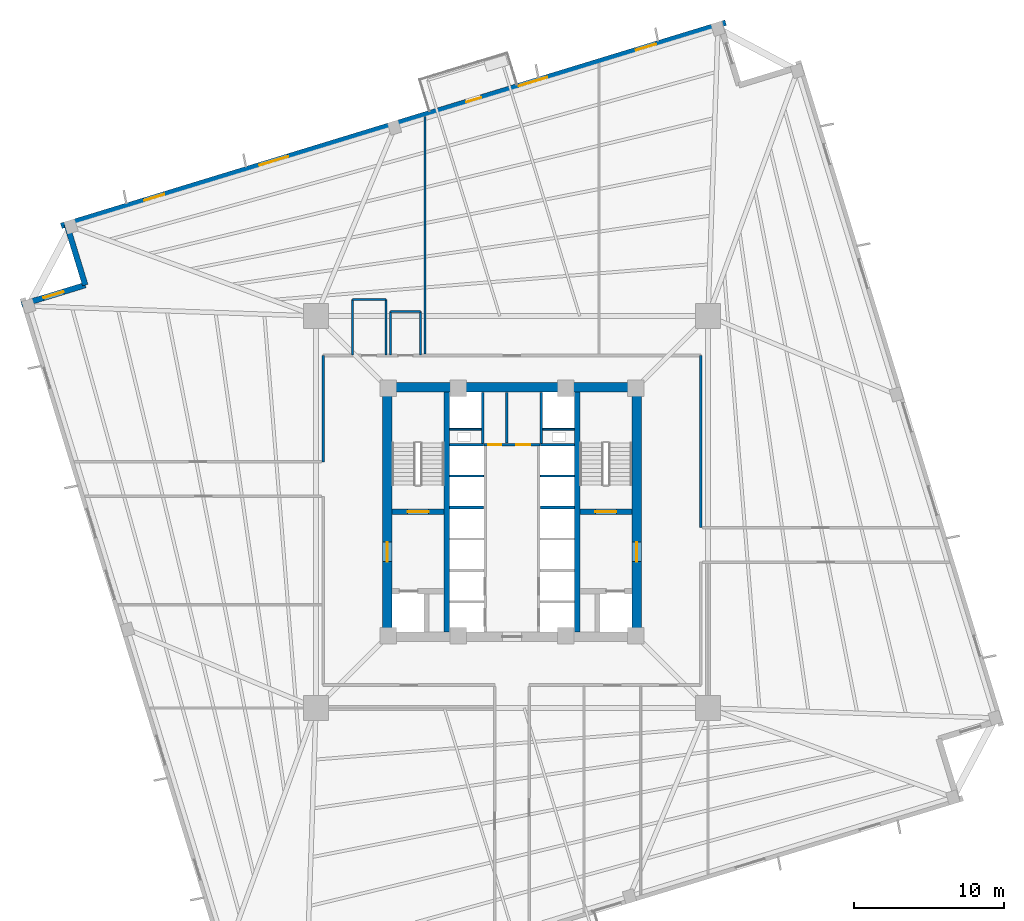
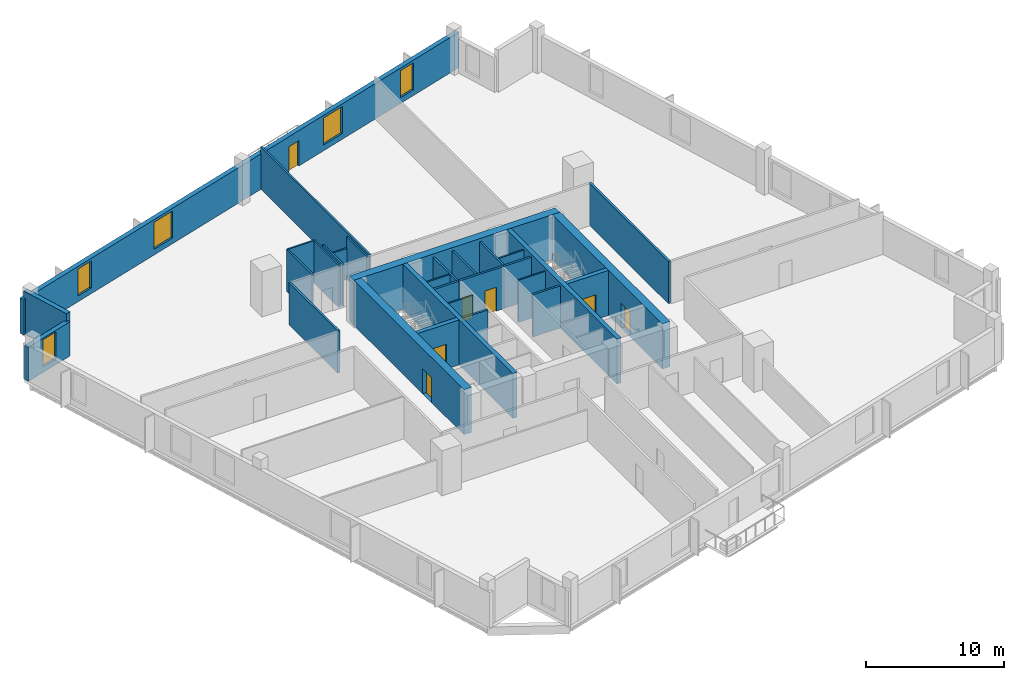
# One storey, part 4 of 8: 31 walls, 7 doors, 5 windows, 12 openings.
"""IFC4 building model written with IfcOpenShell, lengths in metres."""

from ifc_helpers import new_model, si_unit, direction, frame, frame_2d, origin, place, context, subcontext, project, spatial, rectangle, extrude, source, transform, mapped, material, layer, layer_set, type_object, element, fill, save


model = new_model("IFC4")

# Units and contexts
model_context = context("Model", 3, precision=1e-05, world=origin(), true_north=direction((0.0, 1.0)))
body_context = subcontext(model_context, "Body", "Model", "MODEL_VIEW")
ifc_project = project(units=[si_unit("LENGTHUNIT", "METRE"), si_unit("AREAUNIT", "SQUARE_METRE"), si_unit("VOLUMEUNIT", "CUBIC_METRE"), si_unit("PLANEANGLEUNIT", "RADIAN"), si_unit("MASSUNIT", "GRAM", prefix="KILO"), si_unit("THERMODYNAMICTEMPERATUREUNIT", "KELVIN")], contexts=[model_context])

# Site, building, storey
site_placement = place(None, origin())
site = spatial("IfcSite", under=ifc_project, at=site_placement, CompositionType="ELEMENT")
building_placement = place(site_placement, origin())
building = spatial("IfcBuilding", under=site, at=building_placement, Name="Kosmvard Interchange Tower", CompositionType="ELEMENT")
storey_placement = place(building_placement, frame((0.0, 0.0, 115.199951171875)))
storey = spatial("IfcBuildingStorey", under=building, at=storey_placement, Name="L27", CompositionType="ELEMENT", Elevation=115.199951171875)

# Walls
ifc_material_1 = material(Name="Acoustic gypsum partition system")
ifc_layer_1 = layer(ifc_material_1, 0.14990234375, Name="Acoustic gypsum partition system")
ifc_layer_set_1 = layer_set([ifc_layer_1], Name="Acoustic gypsum partition system")
wall_type_1 = type_object("IfcWallType", Name="Acoustic Suite & Meeting Partition 150", PredefinedType="PARTITIONING", material=ifc_layer_set_1)
wall_1_placement = place(storey_placement, frame((-5.800048828125, 10.544921875, 0.0), z_axis=(0.0, 0.0, 1.0), x_axis=(0.0, 1.0, 0.0)))
element("IfcWall", 1, at=wall_1_placement, inside=storey, type_object=wall_type_1, Name="L27 Room Partition 01.1", PredefinedType="PARTITIONING", context=body_context, shape_type="SweptSolid", body=[
    extrude(rectangle(XDim=15.84765625, YDim=0.14990234375, at=frame_2d((7.923828125, 0.0))), origin(), (0.0, 0.0, 1.0), 3.739990234375),
])
ifc_material_2 = material(Name="Fire-rated gypsum partition system")
ifc_layer_2 = layer(ifc_material_2, 0.159912109375, Name="Fire-rated gypsum partition system")
ifc_layer_set_2 = layer_set([ifc_layer_2], Name="Fire-rated gypsum partition system")
wall_type_2 = type_object("IfcWallType", Name="Core Compartment & Shuttle Lobby Partition 160", PredefinedType="PARTITIONING", material=ifc_layer_set_2)
for number, where, z_axis, x_axis, name in (
    (2, (-1.9599609375, 4.580078125, 0.0), (0.0, 0.0, 1.0), (0.0, 1.0, 0.0), "L27 North Core West Wall"),
    (3, (1.9599609375, 4.580078125, 0.0), (0.0, 0.0, 1.0), (0.0, 1.0, 0.0), "L27 North Core East Wall"),
):
    element("IfcWall", number, at=place(storey_placement, frame(where, z_axis=z_axis, x_axis=x_axis)), inside=storey, type_object=wall_type_2, Name=name, PredefinedType="PARTITIONING", context=body_context, shape_type="SweptSolid", body=[
        extrude(rectangle(XDim=3.39990234375, YDim=0.159912109375, at=frame_2d((1.699951171875, 0.0))), origin(), (0.0, 0.0, 1.0), 3.739990234375),
    ])
ifc_material_3 = material(Name="Concrete blockwork masonry", Category="masonry")
ifc_layer_3 = layer(ifc_material_3, 0.159912109375, Name="Concrete blockwork masonry")
ifc_layer_set_3 = layer_set([ifc_layer_3], Name="Concrete blockwork masonry")
wall_type_3 = type_object("IfcWallType", Name="Core Enclosure Split Wall 160", PredefinedType="PARTITIONING", material=ifc_layer_set_3)
wall_2_placement = place(storey_placement, frame((-0.35009765625, 4.60009765625, 0.0), z_axis=(0.0, 0.0, 1.0), x_axis=(0.0, 1.0, 0.0)))
element("IfcWall", 4, at=wall_2_placement, inside=storey, type_object=wall_type_3, Name="L27 Core K2 Split Wall", PredefinedType="PARTITIONING", context=body_context, shape_type="SweptSolid", body=[
    extrude(rectangle(XDim=3.3798828125, YDim=0.159912109375, at=frame_2d((1.68994140625, 0.0))), origin(), (0.0, 0.0, 1.0), 3.739990234375),
])

# Wall, openings, doors
ifc_layer_4 = layer(ifc_material_2, 0.179931640625, Name="Fire-rated gypsum partition system")
ifc_layer_set_4 = layer_set([ifc_layer_4], Name="Fire-rated gypsum partition system")
wall_type_4 = type_object("IfcWallType", Name="Corridor & Hotel Compartment Partition 180", PredefinedType="PARTITIONING", material=ifc_layer_set_4)
wall_3_placement = place(storey_placement, frame((-1.8798828125, 4.489990234375, 0.0), z_axis=(0.0, 0.0, 1.0), x_axis=(1.0, 0.0, 0.0)))
wall_3 = element("IfcWall", 5, at=wall_3_placement, inside=storey, type_object=wall_type_4, Name="L27 Lift Lobby North Partition", PredefinedType="PARTITIONING", context=body_context, shape_type="SweptSolid", body=[
    extrude(rectangle(XDim=3.759765625, YDim=0.179931640625, at=frame_2d((1.8798828125, 0.0))), origin(), (0.0, 0.0, 1.0), 3.739990234375),
])
opening_1_placement = place(wall_3_placement, frame((0.280029296875, 0.0, 0.0)))
opening_1 = element("IfcOpeningElement", 6, at=opening_1_placement, cuts=wall_3, Name="Opening L27-KD1", PredefinedType="OPENING", context=body_context, shape_type="SweptSolid", body=[
    extrude(rectangle(XDim=0.8798828125, YDim=2.10009765625, at=frame_2d((0.43994140625, 1.050048828125))), frame((0.0, 0.10009765625, 0.0), z_axis=(0.0, -1.0, 0.0), x_axis=(1.0, 0.0, 0.0)), (0.0, 0.0, 1.0), 0.199951171875),
])
opening_2_placement = place(wall_3_placement, frame((2.14990234375, 0.0, 0.0)))
opening_2 = element("IfcOpeningElement", 7, at=opening_2_placement, cuts=wall_3, Name="Opening L27-KD2", PredefinedType="OPENING", context=body_context, shape_type="SweptSolid", body=[
    extrude(rectangle(XDim=0.949951171875, YDim=2.10009765625, at=frame_2d((0.47509765625, 1.050048828125))), frame((0.0, 0.10009765625, 0.0), z_axis=(0.0, -1.0, 0.0), x_axis=(1.0, 0.0, 0.0)), (0.0, 0.0, 1.0), 0.199951171875),
])
ifc_material_4 = material(Name="Painted fire-rated timber leaf", Category="wood")
door_type_1 = type_object("IfcDoorType", Name="Core Service Fire Door 950x2100 EI30", OperationType="NOTDEFINED", PredefinedType="DOOR", material=ifc_material_4)
shared_shape_1 = source(origin(), body_context, "Body", "SweptSolid", [
    extrude(rectangle(XDim=0.949951171875, YDim=2.10009765625, at=frame_2d((0.47509765625, 1.050048828125))), frame((0.0, 0.02490234375, 0.0), z_axis=(0.0, -1.0, 0.0), x_axis=(1.0, 0.0, 0.0)), (0.0, 0.0, 1.0), 0.050048828125),
])
door_1_placement = place(opening_2_placement, origin())
door_1 = element("IfcDoor", 8, at=door_1_placement, inside=storey, type_object=door_type_1, Name="L27 Core Tea Pantry Door", OperationType="SINGLE_SWING_RIGHT", OverallHeight=2.10009765625, OverallWidth=0.949951171875, PredefinedType="DOOR", context=body_context, shape_type="MappedRepresentation", body=[
    mapped(shared_shape_1, transform((0.0, 0.0, 0.0), scale=1.0)),
])
fill(opening_2, door_1)
door_type_2 = type_object("IfcDoorType", Name="Core Cupboard Fire Door 880x2100 EI30", OperationType="NOTDEFINED", PredefinedType="DOOR", material=ifc_material_4)
shared_shape_2 = source(origin(), body_context, "Body", "SweptSolid", [
    extrude(rectangle(XDim=0.8798828125, YDim=2.10009765625, at=frame_2d((0.43994140625, 1.050048828125))), frame((0.0, 0.02490234375, 0.0), z_axis=(0.0, -1.0, 0.0), x_axis=(1.0, 0.0, 0.0)), (0.0, 0.0, 1.0), 0.050048828125),
])
door_2_placement = place(opening_1_placement, origin())
door_2 = element("IfcDoor", 9, at=door_2_placement, inside=storey, type_object=door_type_2, Name="L27 Core Cleaner Cupboard Door", OperationType="SINGLE_SWING_LEFT", OverallHeight=2.10009765625, OverallWidth=0.8798828125, PredefinedType="DOOR", context=body_context, shape_type="MappedRepresentation", body=[
    mapped(shared_shape_2, transform((0.0, 0.0, 0.0), scale=1.0)),
])
fill(opening_1, door_2)

# Walls
wall_4_placement = place(storey_placement, frame((-12.60009765625, 3.35009765625, 0.0), z_axis=(0.0, 0.0, 1.0), x_axis=(0.0, 1.0, 0.0)))
element("IfcWall", 10, at=wall_4_placement, inside=storey, type_object=wall_type_4, Name="L27 Corridor Wall CWN", PredefinedType="PARTITIONING", context=body_context, shape_type="SweptSolid", body=[
    extrude(rectangle(XDim=7.099853515625, YDim=0.179931640625, at=frame_2d((3.5498046875, 0.0))), origin(), (0.0, 0.0, 1.0), 3.739990234375),
])
wall_5_placement = place(storey_placement, frame((12.60009765625, -1.050048828125, 0.0), z_axis=(0.0, 0.0, 1.0), x_axis=(0.0, 1.0, 0.0)))
element("IfcWall", 11, at=wall_5_placement, inside=storey, type_object=wall_type_4, Name="L27 Corridor Wall CEN", PredefinedType="PARTITIONING", context=body_context, shape_type="SweptSolid", body=[
    extrude(rectangle(XDim=11.5, YDim=0.179931640625, at=frame_2d((5.75, 0.0))), origin(), (0.0, 0.0, 1.0), 3.739990234375),
])

# Wall, openings, door, windows
ifc_material_5 = material(Name="Precast concrete C45/55", Category="concrete")
ifc_layer_5 = layer(ifc_material_5, 0.3798828125, Name="Precast concrete C45/55")
ifc_layer_set_5 = layer_set([ifc_layer_5], Name="Precast concrete C45/55")
wall_type_5 = type_object("IfcWallType", Name="Lower Tower Precast Pier Wall 380 C45/55", PredefinedType="STANDARD", material=ifc_layer_set_5)
wall_6_placement = place(storey_placement, frame((14.26513671875, 32.65771484375, 0.0), z_axis=(0.0, 0.0, 1.0), x_axis=(-0.956304320851, -0.292373127906, 0.0)))
wall_6 = element("IfcWall", 12, at=wall_6_placement, inside=storey, type_object=wall_type_5, Name="L27 Precast Facade Wall F-N", PredefinedType="STANDARD", context=body_context, shape_type="SweptSolid", body=[
    extrude(rectangle(XDim=46.380126953125, YDim=0.3798828125, at=frame_2d((23.18994140625, 0.0))), origin(), (0.0, 0.0, 1.0), 3.14013671875),
])
opening_3_placement = place(wall_6_placement, frame((17.06494140625, 0.0, 0.0)))
opening_3 = element("IfcOpeningElement", 13, at=opening_3_placement, cuts=wall_6, Name="Opening L27-BDN", PredefinedType="OPENING", context=body_context, shape_type="SweptSolid", body=[
    extrude(rectangle(XDim=1.050048828125, YDim=2.25, at=frame_2d((0.52490234375, 1.125))), frame((0.0, 0.199951171875, 0.0), z_axis=(0.0, -1.0, 0.0), x_axis=(1.0, 0.0, 0.0)), (0.0, 0.0, 1.0), 0.39990234375),
])
opening_4_placement = place(wall_6_placement, frame((4.865478515625, 0.0, 0.510009765625)))
opening_4 = element("IfcOpeningElement", 14, at=opening_4_placement, cuts=wall_6, Name="Opening L27-W11", PredefinedType="OPENING", context=body_context, shape_type="SweptSolid", body=[
    extrude(rectangle(XDim=1.39990234375, YDim=2.39990234375, at=frame_2d((0.699951171875, 1.199951171875))), frame((0.0, 0.199951171875, 0.0), z_axis=(0.0, -1.0, 0.0), x_axis=(1.0, 0.0, 0.0)), (0.0, 0.0, 1.0), 0.39990234375),
])
opening_5_placement = place(wall_6_placement, frame((12.4501953125, 0.0, 0.510009765625)))
opening_5 = element("IfcOpeningElement", 15, at=opening_5_placement, cuts=wall_6, Name="Opening L27-W12", PredefinedType="OPENING", context=body_context, shape_type="SweptSolid", body=[
    extrude(rectangle(XDim=2.0, YDim=2.39990234375, at=frame_2d((1.0, 1.199951171875))), frame((0.0, 0.199951171875, 0.0), z_axis=(0.0, -1.0, 0.0), x_axis=(1.0, 0.0, 0.0)), (0.0, 0.0, 1.0), 0.39990234375),
])
opening_6_placement = place(wall_6_placement, frame((30.538330078125, 0.0, 0.510009765625)))
opening_6 = element("IfcOpeningElement", 16, at=opening_6_placement, cuts=wall_6, Name="Opening L27-W13", PredefinedType="OPENING", context=body_context, shape_type="SweptSolid", body=[
    extrude(rectangle(XDim=2.0, YDim=2.39990234375, at=frame_2d((1.0, 1.199951171875))), frame((0.0, 0.199951171875, 0.0), z_axis=(0.0, -1.0, 0.0), x_axis=(1.0, 0.0, 0.0)), (0.0, 0.0, 1.0), 0.39990234375),
])
opening_7_placement = place(wall_6_placement, frame((39.186767578125, 0.0, 0.510009765625)))
opening_7 = element("IfcOpeningElement", 17, at=opening_7_placement, cuts=wall_6, Name="Opening L27-W14", PredefinedType="OPENING", context=body_context, shape_type="SweptSolid", body=[
    extrude(rectangle(XDim=1.39990234375, YDim=2.39990234375, at=frame_2d((0.699951171875, 1.199951171875))), frame((0.0, 0.199951171875, 0.0), z_axis=(0.0, -1.0, 0.0), x_axis=(1.0, 0.0, 0.0)), (0.0, 0.0, 1.0), 0.39990234375),
])
ifc_material_6 = material(Name="Anodised aluminium and safety glass", Category="aluminium")
door_type_3 = type_object("IfcDoorType", Name="Tree-Balcony Glazed Door 1050x2250", OperationType="NOTDEFINED", PredefinedType="DOOR", material=ifc_material_6)
shared_shape_3 = source(origin(), body_context, "Body", "SweptSolid", [
    extrude(rectangle(XDim=1.050048828125, YDim=2.25, at=frame_2d((0.52490234375, 1.125))), frame((0.0, 0.02490234375, 0.0), z_axis=(0.0, -1.0, 0.0), x_axis=(1.0, 0.0, 0.0)), (0.0, 0.0, 1.0), 0.050048828125),
])
door_3_placement = place(opening_3_placement, origin())
door_3 = element("IfcDoor", 18, at=door_3_placement, inside=storey, type_object=door_type_3, Name="L27 Tree-Balcony Door BAL-L27-N", OperationType="SINGLE_SWING_RIGHT", OverallHeight=2.25, OverallWidth=1.050048828125, PredefinedType="DOOR", context=body_context, shape_type="MappedRepresentation", body=[
    mapped(shared_shape_3, transform((0.0, 0.0, 0.0), scale=1.0)),
])
fill(opening_3, door_3)
ifc_material_7 = material(Name="Low-E solar-control double glazing", Category="glass")
window_type_1 = type_object("IfcWindowType", Name="Notched Corner Feature Window 1400x2400", PartitioningType="SINGLE_PANEL", PredefinedType="WINDOW", material=ifc_material_7)
shared_shape_4 = source(origin(), body_context, "Body", "SweptSolid", [
    extrude(rectangle(XDim=1.39990234375, YDim=2.39990234375, at=frame_2d((0.699951171875, 1.199951171875))), frame((0.0, 0.030029296875, 0.0), z_axis=(0.0, -1.0, 0.0), x_axis=(1.0, 0.0, 0.0)), (0.0, 0.0, 1.0), 0.06005859375),
])
window_1_placement = place(opening_4_placement, origin())
window_1 = element("IfcWindow", 19, at=window_1_placement, inside=storey, type_object=window_type_1, Name="L27 Facade Punched Window 11", OverallHeight=2.39990234375, OverallWidth=1.39990234375, PartitioningType="SINGLE_PANEL", PredefinedType="WINDOW", context=body_context, shape_type="MappedRepresentation", body=[
    mapped(shared_shape_4, transform((0.0, 0.0, 0.0), scale=1.0)),
])
fill(opening_4, window_1)
window_2_placement = place(opening_7_placement, origin())
window_2 = element("IfcWindow", 20, at=window_2_placement, inside=storey, type_object=window_type_1, Name="L27 Facade Punched Window 14", OverallHeight=2.39990234375, OverallWidth=1.39990234375, PartitioningType="SINGLE_PANEL", PredefinedType="WINDOW", context=body_context, shape_type="MappedRepresentation", body=[
    mapped(shared_shape_4, transform((0.0, 0.0, 0.0), scale=1.0)),
])
fill(opening_7, window_2)
window_type_2 = type_object("IfcWindowType", Name="Zone 2 Office Punched Window 2000x2400", PartitioningType="SINGLE_PANEL", PredefinedType="WINDOW", material=ifc_material_7)
shared_shape_5 = source(origin(), body_context, "Body", "SweptSolid", [
    extrude(rectangle(XDim=2.0, YDim=2.39990234375, at=frame_2d((1.0, 1.199951171875))), frame((0.0, 0.030029296875, 0.0), z_axis=(0.0, -1.0, 0.0), x_axis=(1.0, 0.0, 0.0)), (0.0, 0.0, 1.0), 0.06005859375),
])
window_3_placement = place(opening_5_placement, origin())
window_3 = element("IfcWindow", 21, at=window_3_placement, inside=storey, type_object=window_type_2, Name="L27 Facade Punched Window 12", OverallHeight=2.39990234375, OverallWidth=2.0, PartitioningType="SINGLE_PANEL", PredefinedType="WINDOW", context=body_context, shape_type="MappedRepresentation", body=[
    mapped(shared_shape_5, transform((0.0, 0.0, 0.0), scale=1.0)),
])
fill(opening_5, window_3)
window_4_placement = place(opening_6_placement, origin())
window_4 = element("IfcWindow", 22, at=window_4_placement, inside=storey, type_object=window_type_2, Name="L27 Facade Punched Window 13", OverallHeight=2.39990234375, OverallWidth=2.0, PartitioningType="SINGLE_PANEL", PredefinedType="WINDOW", context=body_context, shape_type="MappedRepresentation", body=[
    mapped(shared_shape_5, transform((0.0, 0.0, 0.0), scale=1.0)),
])
fill(opening_6, window_4)

# Wall
wall_7_placement = place(storey_placement, frame((-29.724853515625, 19.20849609375, 0.0), z_axis=(0.0, 0.0, 1.0), x_axis=(0.292345507338, -0.956312764915, 0.0)))
element("IfcWall", 23, at=wall_7_placement, inside=storey, type_object=wall_type_5, Name="L27 Precast Facade Wall N-NW1", PredefinedType="STANDARD", context=body_context, shape_type="SweptSolid", body=[
    extrude(rectangle(XDim=4.249755859375, YDim=0.3798828125, at=frame_2d((2.125, 0.0))), origin(), (0.0, 0.0, 1.0), 3.739990234375),
])

# Wall, opening, window
wall_8_placement = place(storey_placement, frame((-28.482421875, 15.144287109375, 0.0), z_axis=(0.0, 0.0, 1.0), x_axis=(-0.956304176051, -0.292373601522, 0.0)))
wall_8 = element("IfcWall", 24, at=wall_8_placement, inside=storey, type_object=wall_type_5, Name="L27 Precast Facade Wall N-NW2", PredefinedType="STANDARD", context=body_context, shape_type="SweptSolid", body=[
    extrude(rectangle(XDim=4.43994140625, YDim=0.3798828125, at=frame_2d((2.219970703125, 0.0))), origin(), (0.0, 0.0, 1.0), 3.0400390625),
])
opening_8_placement = place(wall_8_placement, frame((1.52001953125, 0.0, 0.510009765625)))
opening_8 = element("IfcOpeningElement", 25, at=opening_8_placement, cuts=wall_8, Name="Opening L27-W22", PredefinedType="OPENING", context=body_context, shape_type="SweptSolid", body=[
    extrude(rectangle(XDim=1.39990234375, YDim=2.39990234375, at=frame_2d((0.699951171875, 1.199951171875))), frame((0.0, 0.199951171875, 0.0), z_axis=(0.0, -1.0, 0.0), x_axis=(1.0, 0.0, 0.0)), (0.0, 0.0, 1.0), 0.39990234375),
])
window_5_placement = place(opening_8_placement, origin())
window_5 = element("IfcWindow", 26, at=window_5_placement, inside=storey, type_object=window_type_1, Name="L27 Corner Notch Window 22", OverallHeight=2.39990234375, OverallWidth=1.39990234375, PartitioningType="SINGLE_PANEL", PredefinedType="WINDOW", context=body_context, shape_type="MappedRepresentation", body=[
    mapped(shared_shape_4, transform((0.0, 0.0, 0.0), scale=1.0)),
])
fill(opening_8, window_5)

# Wall
ifc_material_8 = material(Name="Concrete C70/85", Category="concrete")
ifc_layer_6 = layer(ifc_material_8, 0.64990234375, Name="Concrete C70/85")
ifc_layer_set_6 = layer_set([ifc_layer_6], Name="Concrete C70/85")
wall_type_6 = type_object("IfcWallType", Name="Mid Core Shear Wall 650 C70/85", PredefinedType="SHEAR", material=ifc_layer_set_6)
wall_9_placement = place(storey_placement, frame((-8.64990234375, 8.324951171875, 0.0), z_axis=(0.0, 0.0, 1.0), x_axis=(1.0, 0.0, 0.0)))
element("IfcWall", 27, at=wall_9_placement, inside=storey, type_object=wall_type_6, Name="L27 Core Shear Wall CW-N", PredefinedType="SHEAR", context=body_context, shape_type="SweptSolid", body=[
    extrude(rectangle(XDim=17.2998046875, YDim=0.64990234375, at=frame_2d((8.64990234375, 0.0))), origin(), (0.0, 0.0, 1.0), 4.0),
])

# Wall, opening, door
wall_10_placement = place(storey_placement, frame((-8.324951171875, -8.0, 0.0), z_axis=(0.0, 0.0, 1.0), x_axis=(0.0, 1.0, 0.0)))
wall_10 = element("IfcWall", 28, at=wall_10_placement, inside=storey, type_object=wall_type_6, Name="L27 Core Shear Wall CW-W", PredefinedType="SHEAR", context=body_context, shape_type="SweptSolid", body=[
    extrude(rectangle(XDim=16.0, YDim=0.64990234375, at=frame_2d((8.0, 0.0))), origin(), (0.0, 0.0, 1.0), 4.0),
])
opening_9_placement = place(wall_10_placement, frame((4.68994140625, 0.0, 0.0)))
opening_9 = element("IfcOpeningElement", 29, at=opening_9_placement, cuts=wall_10, Name="Opening L27-FD1", PredefinedType="OPENING", context=body_context, shape_type="SweptSolid", body=[
    extrude(rectangle(XDim=1.300048828125, YDim=2.199951171875, at=frame_2d((0.64990234375, 1.10009765625))), frame((0.0, 0.3349609375, 0.0), z_axis=(0.0, -1.0, 0.0), x_axis=(1.0, 0.0, 0.0)), (0.0, 0.0, 1.0), 0.669921875),
])
ifc_material_9 = material(Name="Painted fire-rated steel leaf", Category="steel")
door_type_4 = type_object("IfcDoorType", Name="Firefighting Lobby Door 1300x2200 EI60", OperationType="NOTDEFINED", PredefinedType="DOOR", material=ifc_material_9)
shared_shape_6 = source(origin(), body_context, "Body", "SweptSolid", [
    extrude(rectangle(XDim=1.300048828125, YDim=2.199951171875, at=frame_2d((0.64990234375, 1.10009765625))), frame((0.0, 0.02490234375, 0.0), z_axis=(0.0, -1.0, 0.0), x_axis=(1.0, 0.0, 0.0)), (0.0, 0.0, 1.0), 0.050048828125),
])
door_4_placement = place(opening_9_placement, frame((1.300048828125, 0.0, 0.0), z_axis=(0.0, 0.0, 1.0), x_axis=(-1.0, 0.0, 0.0)))
door_4 = element("IfcDoor", 30, at=door_4_placement, inside=storey, type_object=door_type_4, Name="L27 Firefighting Lobby West Door", OperationType="SINGLE_SWING_LEFT", OverallHeight=2.199951171875, OverallWidth=1.300048828125, PredefinedType="DOOR", context=body_context, shape_type="MappedRepresentation", body=[
    mapped(shared_shape_6, transform((0.0, 0.0, 0.0), scale=1.0)),
])
fill(opening_9, door_4)

wall_11_placement = place(storey_placement, frame((8.324951171875, -8.0, 0.0), z_axis=(0.0, 0.0, 1.0), x_axis=(0.0, 1.0, 0.0)))
wall_11 = element("IfcWall", 31, at=wall_11_placement, inside=storey, type_object=wall_type_6, Name="L27 Core Shear Wall CW-E", PredefinedType="SHEAR", context=body_context, shape_type="SweptSolid", body=[
    extrude(rectangle(XDim=16.0, YDim=0.64990234375, at=frame_2d((8.0, 0.0))), origin(), (0.0, 0.0, 1.0), 4.0),
])
opening_10_placement = place(wall_11_placement, frame((4.68994140625, 0.0, 0.0)))
opening_10 = element("IfcOpeningElement", 32, at=opening_10_placement, cuts=wall_11, Name="Opening L27-FD2", PredefinedType="OPENING", context=body_context, shape_type="SweptSolid", body=[
    extrude(rectangle(XDim=1.300048828125, YDim=2.199951171875, at=frame_2d((0.64990234375, 1.10009765625))), frame((0.0, 0.3349609375, 0.0), z_axis=(0.0, -1.0, 0.0), x_axis=(1.0, 0.0, 0.0)), (0.0, 0.0, 1.0), 0.669921875),
])
door_5_placement = place(opening_10_placement, origin())
door_5 = element("IfcDoor", 33, at=door_5_placement, inside=storey, type_object=door_type_4, Name="L27 Firefighting Lobby East Door", OperationType="SINGLE_SWING_RIGHT", OverallHeight=2.199951171875, OverallWidth=1.300048828125, PredefinedType="DOOR", context=body_context, shape_type="MappedRepresentation", body=[
    mapped(shared_shape_6, transform((0.0, 0.0, 0.0), scale=1.0)),
])
fill(opening_10, door_5)

# Walls
ifc_layer_7 = layer(ifc_material_3, 0.179931640625, Name="Concrete blockwork masonry")
ifc_layer_set_7 = layer_set([ifc_layer_7], Name="Concrete blockwork masonry")
wall_type_7 = type_object("IfcWallType", Name="Riser & Lift Bank Divider Wall 180", PredefinedType="PARTITIONING", material=ifc_layer_set_7)
for number, where, z_axis, x_axis, name in (
    (34, (-4.169921875, 0.300048828125, 0.0), (0.0, 0.0, 1.0), (1.0, 0.0, 0.0), "L27 West Bank Divider BD2"),
    (35, (1.889892578125, 0.300048828125, 0.0), (0.0, 0.0, 1.0), (1.0, 0.0, 0.0), "L27 East Bank Divider BD2"),
    (36, (-4.169921875, 4.489990234375, 0.0), (0.0, 0.0, 1.0), (1.0, 0.0, 0.0), "L27 West Bank Divider BD3"),
    (37, (1.889892578125, 4.489990234375, 0.0), (0.0, 0.0, 1.0), (1.0, 0.0, 0.0), "L27 East Bank Divider BD3"),
):
    element("IfcWall", number, at=place(storey_placement, frame(where, z_axis=z_axis, x_axis=x_axis)), inside=storey, type_object=wall_type_7, Name=name, PredefinedType="PARTITIONING", context=body_context, shape_type="SweptSolid", body=[
        extrude(rectangle(XDim=2.280029296875, YDim=0.179931640625, at=frame_2d((1.14013671875, 0.0))), origin(), (0.0, 0.0, 1.0), 3.739990234375),
    ])
ifc_material_10 = material(Name="Fire-rated gypsum shaftwall system")
ifc_layer_8 = layer(ifc_material_10, 0.1201171875, Name="Fire-rated gypsum shaftwall system")
ifc_layer_set_8 = layer_set([ifc_layer_8], Name="Fire-rated gypsum shaftwall system")
wall_type_8 = type_object("IfcWallType", Name="Shaft & Riser Fire Partition 120 EI60", PredefinedType="PARTITIONING", material=ifc_layer_set_8)
for number, where, z_axis, x_axis, name in (
    (38, (-4.159912109375, 2.39990234375, 0.0), (0.0, 0.0, 1.0), (1.0, 0.0, 0.0), "L27 Shaft Divider PL-H1"),
    (39, (1.89990234375, 2.39990234375, 0.0), (0.0, 0.0, 1.0), (1.0, 0.0, 0.0), "L27 Shaft Divider PL-H3"),
):
    element("IfcWall", number, at=place(storey_placement, frame(where, z_axis=z_axis, x_axis=x_axis)), inside=storey, type_object=wall_type_8, Name=name, PredefinedType="PARTITIONING", context=body_context, shape_type="SweptSolid", body=[
        extrude(rectangle(XDim=2.260009765625, YDim=0.1201171875, at=frame_2d((1.1298828125, 0.0))), origin(), (0.0, 0.0, 1.0), 3.739990234375),
    ])
for number, where, z_axis, x_axis, name in (
    (40, (-4.159912109375, 5.52001953125, 0.0), (0.0, 0.0, 1.0), (1.0, 0.0, 0.0), "L27 Riser Shaft Divider W"),
    (41, (2.06005859375, 5.52001953125, 0.0), (0.0, 0.0, 1.0), (1.0, 0.0, 0.0), "L27 Riser Shaft Divider E"),
):
    element("IfcWall", number, at=place(storey_placement, frame(where, z_axis=z_axis, x_axis=x_axis)), inside=storey, type_object=wall_type_8, Name=name, PredefinedType="PARTITIONING", context=body_context, shape_type="SweptSolid", body=[
        extrude(rectangle(XDim=2.099853515625, YDim=0.1201171875, at=frame_2d((1.0498046875, 0.0))), origin(), (0.0, 0.0, 1.0), 3.739990234375),
    ])
ifc_material_11 = material(Name="Concrete C60/75", Category="concrete")
ifc_layer_9 = layer(ifc_material_11, 0.360107421875, Name="Concrete C60/75")
ifc_layer_set_9 = layer_set([ifc_layer_9], Name="Concrete C60/75")
wall_type_9 = type_object("IfcWallType", Name="Stair & Lift Shaft Shear Wall 360 C60/75", PredefinedType="SHEAR", material=ifc_layer_set_9)
for number, where, z_axis, x_axis, name in (
    (42, (-4.360107421875, -8.0, 0.0), (0.0, 0.0, 1.0), (0.0, 1.0, 0.0), "L27 Shaft Shear Wall SW-W"),
    (43, (4.360107421875, -8.0, 0.0), (0.0, 0.0, 1.0), (0.0, 1.0, 0.0), "L27 Shaft Shear Wall SW-E"),
):
    element("IfcWall", number, at=place(storey_placement, frame(where, z_axis=z_axis, x_axis=x_axis)), inside=storey, type_object=wall_type_9, Name=name, PredefinedType="SHEAR", context=body_context, shape_type="SweptSolid", body=[
        extrude(rectangle(XDim=16.0, YDim=0.360107421875, at=frame_2d((8.0, 0.0))), origin(), (0.0, 0.0, 1.0), 4.0),
    ])

# Wall, opening, door
wall_12_placement = place(storey_placement, frame((-8.0, 0.02001953125, 0.0), z_axis=(0.0, 0.0, 1.0), x_axis=(1.0, 0.0, 0.0)))
wall_12 = element("IfcWall", 44, at=wall_12_placement, inside=storey, type_object=wall_type_9, Name="L27 Shaft Shear Wall SW-ST1", PredefinedType="SHEAR", context=body_context, shape_type="SweptSolid", body=[
    extrude(rectangle(XDim=3.4599609375, YDim=0.360107421875, at=frame_2d((1.72998046875, 0.0))), origin(), (0.0, 0.0, 1.0), 4.0),
])
opening_11_placement = place(wall_12_placement, frame((1.030029296875, 0.0, 0.0)))
opening_11 = element("IfcOpeningElement", 45, at=opening_11_placement, cuts=wall_12, Name="Opening L27-SD1", PredefinedType="OPENING", context=body_context, shape_type="SweptSolid", body=[
    extrude(rectangle(XDim=1.39990234375, YDim=2.199951171875, at=frame_2d((0.699951171875, 1.10009765625))), frame((0.0, 0.18994140625, 0.0), z_axis=(0.0, -1.0, 0.0), x_axis=(1.0, 0.0, 0.0)), (0.0, 0.0, 1.0), 0.380126953125),
])
door_type_5 = type_object("IfcDoorType", Name="Protected Stair Door 1400x2200 FD60S", OperationType="NOTDEFINED", PredefinedType="DOOR", material=ifc_material_9)
shared_shape_7 = source(origin(), body_context, "Body", "SweptSolid", [
    extrude(rectangle(XDim=1.39990234375, YDim=2.199951171875, at=frame_2d((0.699951171875, 1.10009765625))), frame((0.0, 0.02490234375, 0.0), z_axis=(0.0, -1.0, 0.0), x_axis=(1.0, 0.0, 0.0)), (0.0, 0.0, 1.0), 0.050048828125),
])
door_6_placement = place(opening_11_placement, origin())
door_6 = element("IfcDoor", 46, at=door_6_placement, inside=storey, type_object=door_type_5, Name="L27 Stair ST-1 Enclosure Door", OperationType="SINGLE_SWING_LEFT", OverallHeight=2.199951171875, OverallWidth=1.39990234375, PredefinedType="DOOR", context=body_context, shape_type="MappedRepresentation", body=[
    mapped(shared_shape_7, transform((0.0, 0.0, 0.0), scale=1.0)),
])
fill(opening_11, door_6)

wall_13_placement = place(storey_placement, frame((4.5400390625, 0.02001953125, 0.0), z_axis=(0.0, 0.0, 1.0), x_axis=(1.0, 0.0, 0.0)))
wall_13 = element("IfcWall", 47, at=wall_13_placement, inside=storey, type_object=wall_type_9, Name="L27 Shaft Shear Wall SW-ST2", PredefinedType="SHEAR", context=body_context, shape_type="SweptSolid", body=[
    extrude(rectangle(XDim=3.4599609375, YDim=0.360107421875, at=frame_2d((1.72998046875, 0.0))), origin(), (0.0, 0.0, 1.0), 4.0),
])
opening_12_placement = place(wall_13_placement, frame((1.030029296875, 0.0, 0.0)))
opening_12 = element("IfcOpeningElement", 48, at=opening_12_placement, cuts=wall_13, Name="Opening L27-SD2", PredefinedType="OPENING", context=body_context, shape_type="SweptSolid", body=[
    extrude(rectangle(XDim=1.39990234375, YDim=2.199951171875, at=frame_2d((0.699951171875, 1.10009765625))), frame((0.0, 0.18994140625, 0.0), z_axis=(0.0, -1.0, 0.0), x_axis=(1.0, 0.0, 0.0)), (0.0, 0.0, 1.0), 0.380126953125),
])
door_7_placement = place(opening_12_placement, origin())
door_7 = element("IfcDoor", 49, at=door_7_placement, inside=storey, type_object=door_type_5, Name="L27 Stair ST-2 Enclosure Door", OperationType="SINGLE_SWING_RIGHT", OverallHeight=2.199951171875, OverallWidth=1.39990234375, PredefinedType="DOOR", context=body_context, shape_type="MappedRepresentation", body=[
    mapped(shared_shape_7, transform((0.0, 0.0, 0.0), scale=1.0)),
])
fill(opening_12, door_7)

# Walls
ifc_material_12 = material(Name="Moisture-resistant gypsum partition")
ifc_layer_10 = layer(ifc_material_12, 0.135009765625, Name="Moisture-resistant gypsum partition")
ifc_layer_set_10 = layer_set([ifc_layer_10], Name="Moisture-resistant gypsum partition")
wall_type_10 = type_object("IfcWallType", Name="Wet Room Moisture-Resistant Partition 135", PredefinedType="PARTITIONING", material=ifc_layer_set_10)
wall_14_placement = place(storey_placement, frame((-6.111083984375, 10.469970703125, 0.0), z_axis=(0.0, 0.0, 1.0), x_axis=(0.0, 1.0, 0.0)))
element("IfcWall", 50, at=wall_14_placement, inside=storey, type_object=wall_type_10, Name="L27 Washroom Partition AWC1-E", PredefinedType="PARTITIONING", context=body_context, shape_type="SweptSolid", body=[
    extrude(rectangle(XDim=2.900146484375, YDim=0.135009765625, at=frame_2d((1.4501953125, 0.0))), origin(), (0.0, 0.0, 1.0), 3.739990234375),
])
wall_15_placement = place(storey_placement, frame((-8.111083984375, 13.3701171875, 0.0), z_axis=(0.0, 0.0, 1.0), x_axis=(1.0, 0.0, 0.0)))
element("IfcWall", 51, at=wall_15_placement, inside=storey, type_object=wall_type_10, Name="L27 Washroom Partition AWC1-N", PredefinedType="PARTITIONING", context=body_context, shape_type="SweptSolid", body=[
    extrude(rectangle(XDim=2.0, YDim=0.135009765625, at=frame_2d((1.0, 0.0))), origin(), (0.0, 0.0, 1.0), 2.73193359375),
])
wall_16_placement = place(storey_placement, frame((-8.111083984375, 10.469970703125, 0.0), z_axis=(0.0, 0.0, 1.0), x_axis=(0.0, 1.0, 0.0)))
element("IfcWall", 52, at=wall_16_placement, inside=storey, type_object=wall_type_10, Name="L27 Washroom Partition AWC1-W", PredefinedType="PARTITIONING", context=body_context, shape_type="SweptSolid", body=[
    extrude(rectangle(XDim=2.900146484375, YDim=0.135009765625, at=frame_2d((1.4501953125, 0.0))), origin(), (0.0, 0.0, 1.0), 3.739990234375),
])
wall_17_placement = place(storey_placement, frame((-8.41015625, 10.469970703125, 0.0), z_axis=(0.0, 0.0, 1.0), x_axis=(0.0, 1.0, 0.0)))
element("IfcWall", 53, at=wall_17_placement, inside=storey, type_object=wall_type_10, Name="L27 Washroom Partition WC1-E", PredefinedType="PARTITIONING", context=body_context, shape_type="SweptSolid", body=[
    extrude(rectangle(XDim=3.699951171875, YDim=0.135009765625, at=frame_2d((1.85009765625, 0.0))), origin(), (0.0, 0.0, 1.0), 3.739990234375),
])
wall_18_placement = place(storey_placement, frame((-10.66015625, 14.169921875, 0.0), z_axis=(0.0, 0.0, 1.0), x_axis=(1.0, 0.0, 0.0)))
element("IfcWall", 54, at=wall_18_placement, inside=storey, type_object=wall_type_10, Name="L27 Washroom Partition WC1-N", PredefinedType="PARTITIONING", context=body_context, shape_type="SweptSolid", body=[
    extrude(rectangle(XDim=2.25, YDim=0.135009765625, at=frame_2d((1.125, 0.0))), origin(), (0.0, 0.0, 1.0), 3.739990234375),
])
wall_19_placement = place(storey_placement, frame((-10.66015625, 10.469970703125, 0.0), z_axis=(0.0, 0.0, 1.0), x_axis=(0.0, 1.0, 0.0)))
element("IfcWall", 55, at=wall_19_placement, inside=storey, type_object=wall_type_10, Name="L27 Washroom Partition WC1-W", PredefinedType="PARTITIONING", context=body_context, shape_type="SweptSolid", body=[
    extrude(rectangle(XDim=3.699951171875, YDim=0.135009765625, at=frame_2d((1.85009765625, 0.0))), origin(), (0.0, 0.0, 1.0), 3.739990234375),
])

save(model, "model.ifc")
